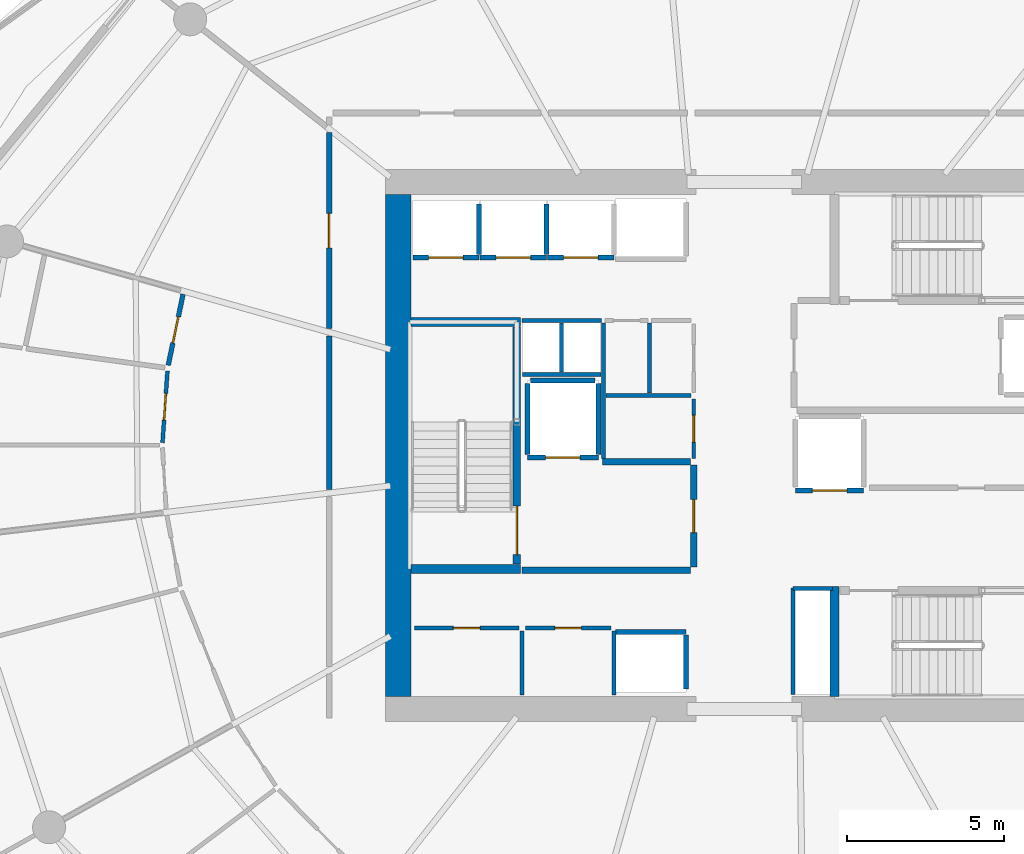
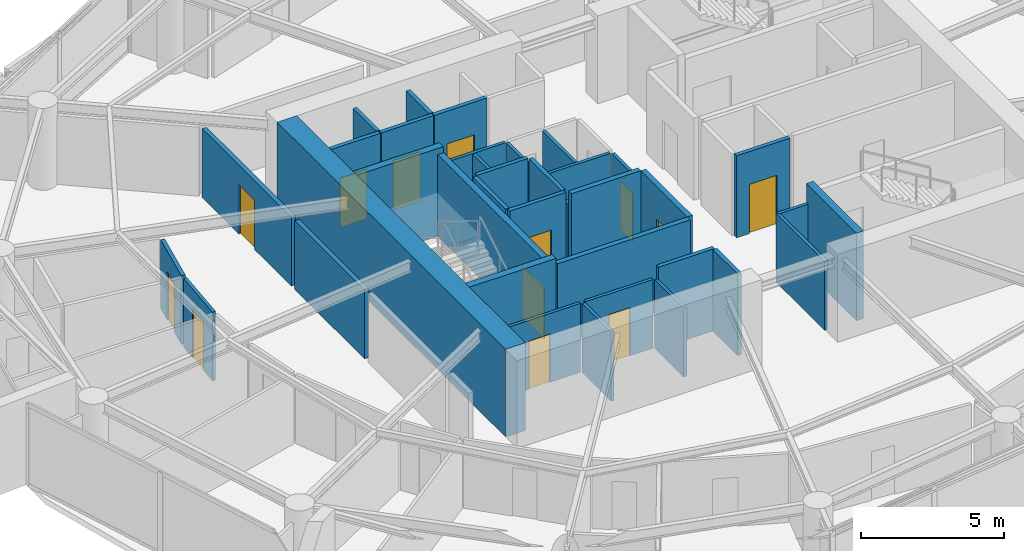
# One storey, part 12 of 20: 37 walls, 13 doors, 13 openings.
"""IFC4 building model written with IfcOpenShell, lengths in metres."""

from ifc_helpers import new_model, si_unit, direction, frame, frame_2d, origin, place, context, subcontext, project, spatial, rectangle, extrude, material, layer, layer_set, type_object, element, fill, save


model = new_model("IFC4")

# Units and contexts
model_context = context("Model", 3, precision=1e-05, world=origin(), true_north=direction((0.0, 1.0)))
body_context = subcontext(model_context, "Body", "Model", "MODEL_VIEW")
ifc_project = project(units=[si_unit("LENGTHUNIT", "METRE"), si_unit("AREAUNIT", "SQUARE_METRE"), si_unit("VOLUMEUNIT", "CUBIC_METRE"), si_unit("PLANEANGLEUNIT", "RADIAN"), si_unit("MASSUNIT", "GRAM", prefix="KILO")], contexts=[model_context])

# Site, building, storey
site_placement = place(None, origin())
site = spatial("IfcSite", under=ifc_project, at=site_placement, CompositionType="ELEMENT")
building_placement = place(site_placement, origin())
building = spatial("IfcBuilding", under=site, at=building_placement, Name="Kazma Halo Residences", CompositionType="ELEMENT")
storey_placement = place(building_placement, frame((0.0, 0.0, 135.300048828125)))
storey = spatial("IfcBuildingStorey", under=building, at=storey_placement, Name="L33", CompositionType="ELEMENT", Elevation=135.300048828125)

# Walls
ifc_material_1 = material(Name="Concrete C80/95", Category="concrete")
ifc_layer_1 = layer(ifc_material_1, 0.800048828125)
ifc_layer_set_1 = layer_set([ifc_layer_1], Name="Concrete C80/95")
wall_type_1 = type_object("IfcWallType", Name="WL-CORE-800", PredefinedType="SHEAR", material=ifc_layer_set_1)
wall_1_placement = place(storey_placement, frame((37.39990234375, 34.0, 0.0), z_axis=(0.0, 0.0, 1.0), x_axis=(0.0, 1.0, 0.0)))
element("IfcWall", 1, at=wall_1_placement, inside=storey, type_object=wall_type_1, Name="L33 central core shear wall W", PredefinedType="SHEAR", context=body_context, shape_type="SweptSolid", body=[
    extrude(rectangle(XDim=16.0, YDim=0.800048828125, at=frame_2d((8.0, 0.0))), origin(), (0.0, 0.0, 1.0), 3.75),
])
ifc_material_2 = material(Name="Concrete C60/75", Category="concrete")
ifc_layer_2 = layer(ifc_material_2, 0.280029296875)
ifc_layer_set_2 = layer_set([ifc_layer_2], Name="Concrete C60/75")
wall_type_2 = type_object("IfcWallType", Name="WL-CORE-ST-280", PredefinedType="SHEAR", material=ifc_layer_set_2)
for number, where, z_axis, x_axis, name in (
    (2, (37.800048828125, 38.06005859375, 0.0), (0.0, 0.0, 1.0), (1.0, 0.0, 0.0), "L33 stairwell bearing wall ST01-S"),
    (3, (37.800048828125, 45.93994140625, 0.0), (0.0, 0.0, 1.0), (1.0, 0.0, 0.0), "L33 stairwell bearing wall ST01-N"),
    (4, (51.31005859375, 34.0, 0.0), (0.0, 0.0, 1.0), (0.0, 1.0, 0.0), "L33 stairwell bearing wall ST03-W"),
):
    element("IfcWall", number, at=place(storey_placement, frame(where, z_axis=z_axis, x_axis=x_axis)), inside=storey, type_object=wall_type_2, Name=name, PredefinedType="SHEAR", context=body_context, shape_type="SweptSolid", body=[
        extrude(rectangle(XDim=3.5, YDim=0.280029296875, at=frame_2d((1.75, 0.0))), origin(), (0.0, 0.0, 1.0), 3.75),
    ])

# Wall, opening, door
ifc_material_3 = material(Name="Acoustic Twin-Stud Gypsum")
ifc_layer_3 = layer(ifc_material_3, 0.179931640625)
ifc_layer_set_3 = layer_set([ifc_layer_3], Name="Acoustic Twin-Stud Gypsum")
wall_type_3 = type_object("IfcWallType", Name="WL-DEM-180", PredefinedType="PARTITIONING", material=ifc_layer_set_3)
wall_2_placement = place(storey_placement, frame((35.199951171875, 51.970703125, 0.0), z_axis=(0.0, 0.0, 1.0), x_axis=(0.0, -1.0, 0.0)))
wall_2 = element("IfcWall", 5, at=wall_2_placement, inside=storey, type_object=wall_type_3, Name="L33 Apartment 1 entrance corridor wall", PredefinedType="PARTITIONING", context=body_context, shape_type="SweptSolid", body=[
    extrude(rectangle(XDim=6.24072265625, YDim=0.179931640625, at=frame_2d((3.120361328125, 0.0))), origin(), (0.0, 0.0, 1.0), 2.93994140625),
])
opening_1_placement = place(wall_2_placement, frame((2.5703125, 0.0, 0.0)))
opening_1 = element("IfcOpeningElement", 6, at=opening_1_placement, cuts=wall_2, Name="Opening DA-1100", PredefinedType="OPENING", context=body_context, shape_type="SweptSolid", body=[
    extrude(rectangle(XDim=1.10009765625, YDim=2.10009765625, at=frame_2d((0.550048828125, 1.050048828125))), frame((0.0, 0.099853515625, 0.0), z_axis=(0.0, -1.0, 0.0), x_axis=(1.0, 0.0, 0.0)), (0.0, 0.0, 1.0), 0.199951171875),
])
ifc_material_4 = material(Name="Acoustic Walnut Fire Leaf")
door_type_1 = type_object("IfcDoorType", Name="DR-FD60-1100", OperationType="NOTDEFINED", PredefinedType="DOOR", material=ifc_material_4)
door_1_placement = place(opening_1_placement, origin())
door_1 = element("IfcDoor", 7, at=door_1_placement, inside=storey, type_object=door_type_1, Name="L33 Apartment 1 entrance fire door", OperationType="SINGLE_SWING_LEFT", OverallHeight=2.10009765625, OverallWidth=1.10009765625, PredefinedType="DOOR", context=body_context, shape_type="SweptSolid", body=[
    extrude(rectangle(XDim=1.10009765625, YDim=2.10009765625, at=frame_2d((0.550048828125, 1.050048828125))), frame((0.0, 0.02490234375, 0.0), z_axis=(0.0, -1.0, 0.0), x_axis=(1.0, 0.0, 0.0)), (0.0, 0.0, 1.0), 0.050048828125),
])
fill(opening_1, door_1)

# Wall
wall_3_placement = place(storey_placement, frame((35.199951171875, 45.489990234375, 0.0), z_axis=(0.0, 0.0, 1.0), x_axis=(0.0, -1.0, 0.0)))
element("IfcWall", 8, at=wall_3_placement, inside=storey, type_object=wall_type_3, Name="L33 Apartment 1 inner wall 6", PredefinedType="PARTITIONING", context=body_context, shape_type="SweptSolid", body=[
    extrude(rectangle(XDim=4.885009765625, YDim=0.179931640625, at=frame_2d((2.4423828125, 0.0))), origin(), (0.0, 0.0, 1.0), 2.93994140625),
])

# Wall, opening, door
ifc_material_5 = material(Name="Fire-Rated Blockwork Masonry", Category="masonry")
ifc_layer_4 = layer(ifc_material_5, 0.199951171875)
ifc_layer_set_4 = layer_set([ifc_layer_4], Name="Fire-Rated Blockwork Masonry")
wall_type_4 = type_object("IfcWallType", Name="WL-FLB-200", PredefinedType="PARTITIONING", material=ifc_layer_set_4)
wall_4_placement = place(storey_placement, frame((39.97509765625, 47.9951171875, 0.0), z_axis=(0.0, 0.0, 1.0), x_axis=(-1.0, 0.0, 0.0)))
wall_4 = element("IfcWall", 9, at=wall_4_placement, inside=storey, type_object=wall_type_4, Name="L33 lift shaft PM-01 front wall", PredefinedType="PARTITIONING", context=body_context, shape_type="SweptSolid", body=[
    extrude(rectangle(XDim=2.110107421875, YDim=0.159912109375, at=frame_2d((1.05517578125, 0.0))), origin(), (0.0, 0.0, 1.0), 3.5),
])
opening_2_placement = place(wall_4_placement, frame((0.5048828125, 0.0, 0.0)))
opening_2 = element("IfcOpeningElement", 10, at=opening_2_placement, cuts=wall_4, Name="Opening LD-PM-01", PredefinedType="OPENING", context=body_context, shape_type="SweptSolid", body=[
    extrude(rectangle(XDim=1.10009765625, YDim=2.10009765625, at=frame_2d((0.550048828125, 1.050048828125))), frame((0.0, 0.08984375, 0.0), z_axis=(0.0, -1.0, 0.0), x_axis=(1.0, 0.0, 0.0)), (0.0, 0.0, 1.0), 0.179931640625),
])
ifc_material_6 = material(Name="Stainless Steel Fire-Rated", Category="steel")
door_type_2 = type_object("IfcDoorType", Name="DR-LIFT-SLD-1100", OperationType="DOUBLE_DOOR_SLIDING", PredefinedType="DOOR", material=ifc_material_6)
door_2_placement = place(opening_2_placement, origin())
door_2 = element("IfcDoor", 11, at=door_2_placement, inside=storey, type_object=door_type_2, Name="L33 lift PM-01 sliding landing door", OperationType="DOUBLE_DOOR_SLIDING", OverallHeight=2.10009765625, OverallWidth=1.10009765625, PredefinedType="DOOR", context=body_context, shape_type="SweptSolid", body=[
    extrude(rectangle(XDim=1.10009765625, YDim=2.10009765625, at=frame_2d((0.550048828125, 1.050048828125))), frame((0.0, 0.02490234375, 0.0), z_axis=(0.0, -1.0, 0.0), x_axis=(1.0, 0.0, 0.0)), (0.0, 0.0, 1.0), 0.050048828125),
])
fill(opening_2, door_2)

# Wall
wall_5_placement = place(storey_placement, frame((39.97509765625, 48.094970703125, 0.0), z_axis=(0.0, 0.0, 1.0), x_axis=(0.0, 1.0, 0.0)))
element("IfcWall", 12, at=wall_5_placement, inside=storey, type_object=wall_type_4, Name="L33 lift shaft PM-01 side wall E", PredefinedType="PARTITIONING", context=body_context, shape_type="SweptSolid", body=[
    extrude(rectangle(XDim=1.610107421875, YDim=0.159912109375, at=frame_2d((0.80517578125, 0.0))), origin(), (0.0, 0.0, 1.0), 3.5),
])

# Wall, opening, door
wall_6_placement = place(storey_placement, frame((42.125, 47.9951171875, 0.0), z_axis=(0.0, 0.0, 1.0), x_axis=(-1.0, 0.0, 0.0)))
wall_6 = element("IfcWall", 13, at=wall_6_placement, inside=storey, type_object=wall_type_4, Name="L33 lift shaft PM-02 front wall", PredefinedType="PARTITIONING", context=body_context, shape_type="SweptSolid", body=[
    extrude(rectangle(XDim=2.110107421875, YDim=0.159912109375, at=frame_2d((1.05517578125, 0.0))), origin(), (0.0, 0.0, 1.0), 3.5),
])
opening_3_placement = place(wall_6_placement, frame((0.5048828125, 0.0, 0.0)))
opening_3 = element("IfcOpeningElement", 14, at=opening_3_placement, cuts=wall_6, Name="Opening LD-PM-02", PredefinedType="OPENING", context=body_context, shape_type="SweptSolid", body=[
    extrude(rectangle(XDim=1.10009765625, YDim=2.10009765625, at=frame_2d((0.550048828125, 1.050048828125))), frame((0.0, 0.08984375, 0.0), z_axis=(0.0, -1.0, 0.0), x_axis=(1.0, 0.0, 0.0)), (0.0, 0.0, 1.0), 0.179931640625),
])
door_3_placement = place(opening_3_placement, origin())
door_3 = element("IfcDoor", 15, at=door_3_placement, inside=storey, type_object=door_type_2, Name="L33 lift PM-02 sliding landing door", OperationType="DOUBLE_DOOR_SLIDING", OverallHeight=2.10009765625, OverallWidth=1.10009765625, PredefinedType="DOOR", context=body_context, shape_type="SweptSolid", body=[
    extrude(rectangle(XDim=1.10009765625, YDim=2.10009765625, at=frame_2d((0.550048828125, 1.050048828125))), frame((0.0, 0.02490234375, 0.0), z_axis=(0.0, -1.0, 0.0), x_axis=(1.0, 0.0, 0.0)), (0.0, 0.0, 1.0), 0.050048828125),
])
fill(opening_3, door_3)

# Wall
wall_7_placement = place(storey_placement, frame((42.125, 48.094970703125, 0.0), z_axis=(0.0, 0.0, 1.0), x_axis=(0.0, 1.0, 0.0)))
element("IfcWall", 16, at=wall_7_placement, inside=storey, type_object=wall_type_4, Name="L33 lift shaft PM-02 side wall E", PredefinedType="PARTITIONING", context=body_context, shape_type="SweptSolid", body=[
    extrude(rectangle(XDim=1.610107421875, YDim=0.159912109375, at=frame_2d((0.80517578125, 0.0))), origin(), (0.0, 0.0, 1.0), 3.5),
])

# Wall, opening, door
wall_8_placement = place(storey_placement, frame((44.27490234375, 47.9951171875, 0.0), z_axis=(0.0, 0.0, 1.0), x_axis=(-1.0, 0.0, 0.0)))
wall_8 = element("IfcWall", 17, at=wall_8_placement, inside=storey, type_object=wall_type_4, Name="L33 lift shaft PM-03 front wall", PredefinedType="PARTITIONING", context=body_context, shape_type="SweptSolid", body=[
    extrude(rectangle(XDim=2.10986328125, YDim=0.159912109375, at=frame_2d((1.054931640625, 0.0))), origin(), (0.0, 0.0, 1.0), 3.5),
])
opening_4_placement = place(wall_8_placement, frame((0.5048828125, 0.0, 0.0)))
opening_4 = element("IfcOpeningElement", 18, at=opening_4_placement, cuts=wall_8, Name="Opening LD-PM-03", PredefinedType="OPENING", context=body_context, shape_type="SweptSolid", body=[
    extrude(rectangle(XDim=1.10009765625, YDim=2.10009765625, at=frame_2d((0.550048828125, 1.050048828125))), frame((0.0, 0.08984375, 0.0), z_axis=(0.0, -1.0, 0.0), x_axis=(1.0, 0.0, 0.0)), (0.0, 0.0, 1.0), 0.179931640625),
])
door_4_placement = place(opening_4_placement, origin())
door_4 = element("IfcDoor", 19, at=door_4_placement, inside=storey, type_object=door_type_2, Name="L33 lift PM-03 sliding landing door", OperationType="DOUBLE_DOOR_SLIDING", OverallHeight=2.10009765625, OverallWidth=1.10009765625, PredefinedType="DOOR", context=body_context, shape_type="SweptSolid", body=[
    extrude(rectangle(XDim=1.10009765625, YDim=2.10009765625, at=frame_2d((0.550048828125, 1.050048828125))), frame((0.0, 0.02490234375, 0.0), z_axis=(0.0, -1.0, 0.0), x_axis=(1.0, 0.0, 0.0)), (0.0, 0.0, 1.0), 0.050048828125),
])
fill(opening_4, door_4)

# Walls
wall_9_placement = place(storey_placement, frame((44.320068359375, 36.054931640625, 0.0), z_axis=(0.0, 0.0, 1.0), x_axis=(1.0, 0.0, 0.0)))
element("IfcWall", 20, at=wall_9_placement, inside=storey, type_object=wall_type_4, Name="L33 lift shaft PX-02 front wall", PredefinedType="PARTITIONING", context=body_context, shape_type="SweptSolid", body=[
    extrude(rectangle(XDim=2.260009765625, YDim=0.159912109375, at=frame_2d((1.1298828125, 0.0))), origin(), (0.0, 0.0, 1.0), 3.5),
])
wall_10_placement = place(storey_placement, frame((46.580078125, 34.2451171875, 0.0), z_axis=(0.0, 0.0, 1.0), x_axis=(0.0, 1.0, 0.0)))
element("IfcWall", 21, at=wall_10_placement, inside=storey, type_object=wall_type_4, Name="L33 lift shaft PX-02 side wall E", PredefinedType="PARTITIONING", context=body_context, shape_type="SweptSolid", body=[
    extrude(rectangle(XDim=1.7099609375, YDim=0.159912109375, at=frame_2d((0.85498046875, 0.0))), origin(), (0.0, 0.0, 1.0), 3.5),
])

# Wall, opening, door
wall_11_placement = place(storey_placement, frame((43.780029296875, 41.6201171875, 0.0), z_axis=(0.0, 0.0, 1.0), x_axis=(-1.0, 0.0, 0.0)))
wall_11 = element("IfcWall", 22, at=wall_11_placement, inside=storey, type_object=wall_type_4, Name="L33 lift shaft FL-01 front wall", PredefinedType="PARTITIONING", context=body_context, shape_type="SweptSolid", body=[
    extrude(rectangle(XDim=2.260009765625, YDim=0.159912109375, at=frame_2d((1.1298828125, 0.0))), origin(), (0.0, 0.0, 1.0), 3.5),
])
opening_5_placement = place(wall_11_placement, frame((0.580078125, 0.0, 0.0)))
opening_5 = element("IfcOpeningElement", 23, at=opening_5_placement, cuts=wall_11, Name="Opening LD-FL-01", PredefinedType="OPENING", context=body_context, shape_type="SweptSolid", body=[
    extrude(rectangle(XDim=1.10009765625, YDim=2.10009765625, at=frame_2d((0.550048828125, 1.050048828125))), frame((0.0, 0.08984375, 0.0), z_axis=(0.0, -1.0, 0.0), x_axis=(1.0, 0.0, 0.0)), (0.0, 0.0, 1.0), 0.179931640625),
])
door_5_placement = place(opening_5_placement, origin())
door_5 = element("IfcDoor", 24, at=door_5_placement, inside=storey, type_object=door_type_2, Name="L33 lift FL-01 sliding landing door", OperationType="DOUBLE_DOOR_SLIDING", OverallHeight=2.10009765625, OverallWidth=1.10009765625, PredefinedType="DOOR", context=body_context, shape_type="SweptSolid", body=[
    extrude(rectangle(XDim=1.10009765625, YDim=2.10009765625, at=frame_2d((0.550048828125, 1.050048828125))), frame((0.0, 0.02490234375, 0.0), z_axis=(0.0, -1.0, 0.0), x_axis=(1.0, 0.0, 0.0)), (0.0, 0.0, 1.0), 0.050048828125),
])
fill(opening_5, door_5)

# Walls
for number, where, z_axis, x_axis, name in (
    (25, (43.780029296875, 41.719970703125, 0.0), (0.0, 0.0, 1.0), (0.0, 1.0, 0.0), "L33 lift shaft FL-01 side wall E"),
    (26, (41.52001953125, 41.719970703125, 0.0), (0.0, 0.0, 1.0), (0.0, 1.0, 0.0), "L33 lift shaft FL-01 side wall W"),
):
    element("IfcWall", number, at=place(storey_placement, frame(where, z_axis=z_axis, x_axis=x_axis)), inside=storey, type_object=wall_type_4, Name=name, PredefinedType="PARTITIONING", context=body_context, shape_type="SweptSolid", body=[
        extrude(rectangle(XDim=2.260009765625, YDim=0.159912109375, at=frame_2d((1.1298828125, 0.0))), origin(), (0.0, 0.0, 1.0), 3.5),
    ])
wall_12_placement = place(storey_placement, frame((41.6201171875, 44.080078125, 0.0), z_axis=(0.0, 0.0, 1.0), x_axis=(1.0, 0.0, 0.0)))
element("IfcWall", 27, at=wall_12_placement, inside=storey, type_object=wall_type_4, Name="L33 lift shaft FL-01 side wall N", PredefinedType="PARTITIONING", context=body_context, shape_type="SweptSolid", body=[
    extrude(rectangle(XDim=2.059814453125, YDim=0.159912109375, at=frame_2d((1.02978515625, 0.0))), origin(), (0.0, 0.0, 1.0), 3.5),
])

# Wall, opening, door
wall_13_placement = place(storey_placement, frame((52.22998046875, 40.570068359375, 0.0), z_axis=(0.0, 0.0, 1.0), x_axis=(-1.0, 0.0, 0.0)))
wall_13 = element("IfcWall", 28, at=wall_13_placement, inside=storey, type_object=wall_type_4, Name="L33 lift shaft SV-01 front wall", PredefinedType="PARTITIONING", context=body_context, shape_type="SweptSolid", body=[
    extrude(rectangle(XDim=2.159912109375, YDim=0.159912109375, at=frame_2d((1.080078125, 0.0))), origin(), (0.0, 0.0, 1.0), 3.5),
])
opening_6_placement = place(wall_13_placement, frame((0.530029296875, 0.0, 0.0)))
opening_6 = element("IfcOpeningElement", 29, at=opening_6_placement, cuts=wall_13, Name="Opening LD-SV-01", PredefinedType="OPENING", context=body_context, shape_type="SweptSolid", body=[
    extrude(rectangle(XDim=1.10009765625, YDim=2.10009765625, at=frame_2d((0.550048828125, 1.050048828125))), frame((0.0, 0.08984375, 0.0), z_axis=(0.0, -1.0, 0.0), x_axis=(1.0, 0.0, 0.0)), (0.0, 0.0, 1.0), 0.179931640625),
])
door_6_placement = place(opening_6_placement, origin())
door_6 = element("IfcDoor", 30, at=door_6_placement, inside=storey, type_object=door_type_2, Name="L33 lift SV-01 sliding landing door", OperationType="DOUBLE_DOOR_SLIDING", OverallHeight=2.10009765625, OverallWidth=1.10009765625, PredefinedType="DOOR", context=body_context, shape_type="SweptSolid", body=[
    extrude(rectangle(XDim=1.10009765625, YDim=2.10009765625, at=frame_2d((0.550048828125, 1.050048828125))), frame((0.0, 0.02490234375, 0.0), z_axis=(0.0, -1.0, 0.0), x_axis=(1.0, 0.0, 0.0)), (0.0, 0.0, 1.0), 0.050048828125),
])
fill(opening_6, door_6)

# Walls
wall_14_placement = place(storey_placement, frame((41.35009765625, 38.02001953125, 0.0), z_axis=(0.0, 0.0, 1.0), x_axis=(1.0, 0.0, 0.0)))
element("IfcWall", 31, at=wall_14_placement, inside=storey, type_object=wall_type_4, Name="L33 west firefighting lobby south smoke wall", PredefinedType="PARTITIONING", context=body_context, shape_type="SweptSolid", body=[
    extrude(rectangle(XDim=5.369873046875, YDim=0.199951171875, at=frame_2d((2.68505859375, 0.0))), origin(), (0.0, 0.0, 1.0), 3.5),
])
wall_15_placement = place(storey_placement, frame((43.919921875, 41.47998046875, 0.0), z_axis=(0.0, 0.0, 1.0), x_axis=(1.0, 0.0, 0.0)))
element("IfcWall", 32, at=wall_15_placement, inside=storey, type_object=wall_type_4, Name="L33 west firefighting lobby north smoke wall", PredefinedType="PARTITIONING", context=body_context, shape_type="SweptSolid", body=[
    extrude(rectangle(XDim=2.800048828125, YDim=0.199951171875, at=frame_2d((1.39990234375, 0.0))), origin(), (0.0, 0.0, 1.0), 3.5),
])

# Wall, opening, door
wall_16_placement = place(storey_placement, frame((46.820068359375, 38.1201171875, 0.0), z_axis=(0.0, 0.0, 1.0), x_axis=(0.0, 1.0, 0.0)))
wall_16 = element("IfcWall", 33, at=wall_16_placement, inside=storey, type_object=wall_type_4, Name="L33 west firefighting lobby smoke wall", PredefinedType="PARTITIONING", context=body_context, shape_type="SweptSolid", body=[
    extrude(rectangle(XDim=3.259765625, YDim=0.199951171875, at=frame_2d((1.6298828125, 0.0))), origin(), (0.0, 0.0, 1.0), 3.5),
])
opening_7_placement = place(wall_16_placement, frame((1.10498046875, 0.0, 0.0)))
opening_7 = element("IfcOpeningElement", 34, at=opening_7_placement, cuts=wall_16, Name="Opening D-FLW", PredefinedType="OPENING", context=body_context, shape_type="SweptSolid", body=[
    extrude(rectangle(XDim=1.050048828125, YDim=2.10009765625, at=frame_2d((0.52490234375, 1.050048828125))), frame((0.0, 0.10986328125, 0.0), z_axis=(0.0, -1.0, 0.0), x_axis=(1.0, 0.0, 0.0)), (0.0, 0.0, 1.0), 0.219970703125),
])
ifc_material_7 = material(Name="Fire-Rated Steel Leaf", Category="steel")
door_type_3 = type_object("IfcDoorType", Name="DR-FD90-1050", OperationType="NOTDEFINED", PredefinedType="DOOR", material=ifc_material_7)
door_7_placement = place(opening_7_placement, origin())
door_7 = element("IfcDoor", 35, at=door_7_placement, inside=storey, type_object=door_type_3, Name="L33 west firefighting lobby smoke door", OperationType="SINGLE_SWING_RIGHT", OverallHeight=2.10009765625, OverallWidth=1.050048828125, PredefinedType="DOOR", context=body_context, shape_type="SweptSolid", body=[
    extrude(rectangle(XDim=1.050048828125, YDim=2.10009765625, at=frame_2d((0.52490234375, 1.050048828125))), frame((0.0, 0.02490234375, 0.0), z_axis=(0.0, -1.0, 0.0), x_axis=(1.0, 0.0, 0.0)), (0.0, 0.0, 1.0), 0.050048828125),
])
fill(opening_7, door_7)

# Walls
ifc_material_8 = material(Name="Gypsum Plasterboard Partition")
ifc_layer_5 = layer(ifc_material_8, 0.125)
ifc_layer_set_5 = layer_set([ifc_layer_5], Name="Gypsum Plasterboard Partition")
wall_type_5 = type_object("IfcWallType", Name="WL-PART-125", PredefinedType="PARTITIONING", material=ifc_layer_set_5)
for number, where, z_axis, x_axis, name in (
    (36, (44.280029296875, 34.050048828125, 0.0), (0.0, 0.0, 1.0), (0.0, 1.0, 0.0), "L33 reclaimed south east wall"),
    (37, (41.35009765625, 34.050048828125, 0.0), (0.0, 0.0, 1.0), (0.0, 1.0, 0.0), "L33 reclaimed south divider wall"),
):
    element("IfcWall", number, at=place(storey_placement, frame(where, z_axis=z_axis, x_axis=x_axis)), inside=storey, type_object=wall_type_5, Name=name, PredefinedType="PARTITIONING", context=body_context, shape_type="SweptSolid", body=[
        extrude(rectangle(XDim=2.030029296875, YDim=0.125, at=frame_2d((1.01513671875, 0.0))), origin(), (0.0, 0.0, 1.0), 2.93994140625),
    ])

# Wall, opening, door
wall_17_placement = place(storey_placement, frame((37.919921875, 36.179931640625, 0.0), z_axis=(0.0, 0.0, 1.0), x_axis=(1.0, 0.0, 0.0)))
wall_17 = element("IfcWall", 38, at=wall_17_placement, inside=storey, type_object=wall_type_5, Name="L33 reclaimed south W front wall", PredefinedType="PARTITIONING", context=body_context, shape_type="SweptSolid", body=[
    extrude(rectangle(XDim=3.330078125, YDim=0.125, at=frame_2d((1.6650390625, 0.0))), origin(), (0.0, 0.0, 1.0), 2.93994140625),
])
opening_8_placement = place(wall_17_placement, frame((1.239990234375, 0.0, 0.0)))
opening_8 = element("IfcOpeningElement", 39, at=opening_8_placement, cuts=wall_17, Name="Opening DS-850", PredefinedType="OPENING", context=body_context, shape_type="SweptSolid", body=[
    extrude(rectangle(XDim=0.85009765625, YDim=2.06005859375, at=frame_2d((0.425048828125, 1.030029296875))), frame((0.0, 0.072509765625, 0.0), z_axis=(0.0, -1.0, 0.0), x_axis=(1.0, 0.0, 0.0)), (0.0, 0.0, 1.0), 0.14501953125),
])
ifc_material_9 = material(Name="Painted Steel Access Leaf", Category="steel")
door_type_4 = type_object("IfcDoorType", Name="DR-SVC-850", OperationType="NOTDEFINED", PredefinedType="DOOR", material=ifc_material_9)
door_8_placement = place(opening_8_placement, origin())
door_8 = element("IfcDoor", 40, at=door_8_placement, inside=storey, type_object=door_type_4, Name="L33 reclaimed south W door", OperationType="SINGLE_SWING_RIGHT", OverallHeight=2.06005859375, OverallWidth=0.85009765625, PredefinedType="DOOR", context=body_context, shape_type="SweptSolid", body=[
    extrude(rectangle(XDim=0.85009765625, YDim=2.06005859375, at=frame_2d((0.425048828125, 1.030029296875))), frame((0.0, 0.02490234375, 0.0), z_axis=(0.0, -1.0, 0.0), x_axis=(1.0, 0.0, 0.0)), (0.0, 0.0, 1.0), 0.050048828125),
])
fill(opening_8, door_8)

wall_18_placement = place(storey_placement, frame((41.449951171875, 36.179931640625, 0.0), z_axis=(0.0, 0.0, 1.0), x_axis=(1.0, 0.0, 0.0)))
wall_18 = element("IfcWall", 41, at=wall_18_placement, inside=storey, type_object=wall_type_5, Name="L33 reclaimed south E front wall", PredefinedType="PARTITIONING", context=body_context, shape_type="SweptSolid", body=[
    extrude(rectangle(XDim=2.72998046875, YDim=0.125, at=frame_2d((1.364990234375, 0.0))), origin(), (0.0, 0.0, 1.0), 2.93994140625),
])
opening_9_placement = place(wall_18_placement, frame((0.93994140625, 0.0, 0.0)))
opening_9 = element("IfcOpeningElement", 42, at=opening_9_placement, cuts=wall_18, Name="Opening DS-850", PredefinedType="OPENING", context=body_context, shape_type="SweptSolid", body=[
    extrude(rectangle(XDim=0.85009765625, YDim=2.06005859375, at=frame_2d((0.425048828125, 1.030029296875))), frame((0.0, 0.072509765625, 0.0), z_axis=(0.0, -1.0, 0.0), x_axis=(1.0, 0.0, 0.0)), (0.0, 0.0, 1.0), 0.14501953125),
])
door_9_placement = place(opening_9_placement, origin())
door_9 = element("IfcDoor", 43, at=door_9_placement, inside=storey, type_object=door_type_4, Name="L33 reclaimed south E door", OperationType="SINGLE_SWING_LEFT", OverallHeight=2.06005859375, OverallWidth=0.85009765625, PredefinedType="DOOR", context=body_context, shape_type="SweptSolid", body=[
    extrude(rectangle(XDim=0.85009765625, YDim=2.06005859375, at=frame_2d((0.425048828125, 1.030029296875))), frame((0.0, 0.02490234375, 0.0), z_axis=(0.0, -1.0, 0.0), x_axis=(1.0, 0.0, 0.0)), (0.0, 0.0, 1.0), 0.050048828125),
])
fill(opening_9, door_9)

# Walls
wall_19_placement = place(storey_placement, frame((41.360107421875, 44.260009765625, 0.0), z_axis=(0.0, 0.0, 1.0), x_axis=(1.0, 0.0, 0.0)))
element("IfcWall", 44, at=wall_19_placement, inside=storey, type_object=wall_type_5, Name="L33 core riser south wall", PredefinedType="PARTITIONING", context=body_context, shape_type="SweptSolid", body=[
    extrude(rectangle(XDim=2.5, YDim=0.125, at=frame_2d((1.25, 0.0))), origin(), (0.0, 0.0, 1.0), 2.93994140625),
])
wall_20_placement = place(storey_placement, frame((42.60009765625, 44.35009765625, 0.0), z_axis=(0.0, 0.0, 1.0), x_axis=(0.0, 1.0, 0.0)))
element("IfcWall", 45, at=wall_20_placement, inside=storey, type_object=wall_type_5, Name="L33 core riser divider wall", PredefinedType="PARTITIONING", context=body_context, shape_type="SweptSolid", body=[
    extrude(rectangle(XDim=1.5498046875, YDim=0.125, at=frame_2d((0.77490234375, 0.0))), origin(), (0.0, 0.0, 1.0), 2.93994140625),
])
wall_21_placement = place(storey_placement, frame((49.97998046875, 34.06005859375, 0.0), z_axis=(0.0, 0.0, 1.0), x_axis=(0.0, 1.0, 0.0)))
element("IfcWall", 46, at=wall_21_placement, inside=storey, type_object=wall_type_5, Name="L33 standpipe riser wall", PredefinedType="PARTITIONING", context=body_context, shape_type="SweptSolid", body=[
    extrude(rectangle(XDim=3.39990234375, YDim=0.125, at=frame_2d((1.699951171875, 0.0))), origin(), (0.0, 0.0, 1.0), 2.93994140625),
])
wall_22_placement = place(storey_placement, frame((49.97998046875, 37.43994140625, 0.0), z_axis=(0.0, 0.0, 1.0), x_axis=(1.0, 0.0, 0.0)))
element("IfcWall", 47, at=wall_22_placement, inside=storey, type_object=wall_type_5, Name="L33 standpipe riser north wall", PredefinedType="PARTITIONING", context=body_context, shape_type="SweptSolid", body=[
    extrude(rectangle(XDim=1.260009765625, YDim=0.125, at=frame_2d((0.6298828125, 0.0))), origin(), (0.0, 0.0, 1.0), 2.93994140625),
])
wall_23_placement = place(storey_placement, frame((43.949951171875, 41.580078125, 0.0), z_axis=(0.0, 0.0, 1.0), x_axis=(0.0, 1.0, 0.0)))
element("IfcWall", 48, at=wall_23_placement, inside=storey, type_object=wall_type_5, Name="L33 core service west wall", PredefinedType="PARTITIONING", context=body_context, shape_type="SweptSolid", body=[
    extrude(rectangle(XDim=4.31982421875, YDim=0.125, at=frame_2d((2.159912109375, 0.0))), origin(), (0.0, 0.0, 1.0), 2.93994140625),
])
wall_24_placement = place(storey_placement, frame((44.030029296875, 43.590087890625, 0.0), z_axis=(0.0, 0.0, 1.0), x_axis=(1.0, 0.0, 0.0)))
element("IfcWall", 49, at=wall_24_placement, inside=storey, type_object=wall_type_5, Name="L33 core service horiz divider", PredefinedType="PARTITIONING", context=body_context, shape_type="SweptSolid", body=[
    extrude(rectangle(XDim=2.7099609375, YDim=0.125, at=frame_2d((1.35498046875, 0.0))), origin(), (0.0, 0.0, 1.0), 2.93994140625),
])
wall_25_placement = place(storey_placement, frame((45.409912109375, 43.669921875, 0.0), z_axis=(0.0, 0.0, 1.0), x_axis=(0.0, 1.0, 0.0)))
element("IfcWall", 50, at=wall_25_placement, inside=storey, type_object=wall_type_5, Name="L33 core service vert divider", PredefinedType="PARTITIONING", context=body_context, shape_type="SweptSolid", body=[
    extrude(rectangle(XDim=2.22998046875, YDim=0.125, at=frame_2d((1.114990234375, 0.0))), origin(), (0.0, 0.0, 1.0), 2.93994140625),
])

# Wall, opening, door
wall_26_placement = place(storey_placement, frame((46.820068359375, 41.580078125, 0.0), z_axis=(0.0, 0.0, 1.0), x_axis=(0.0, 1.0, 0.0)))
wall_26 = element("IfcWall", 51, at=wall_26_placement, inside=storey, type_object=wall_type_5, Name="L33 refuse room east wall", PredefinedType="PARTITIONING", context=body_context, shape_type="SweptSolid", body=[
    extrude(rectangle(XDim=1.909912109375, YDim=0.125, at=frame_2d((0.955078125, 0.0))), origin(), (0.0, 0.0, 1.0), 2.93994140625),
])
opening_10_placement = place(wall_26_placement, frame((0.530029296875, 0.0, 0.0)))
opening_10 = element("IfcOpeningElement", 52, at=opening_10_placement, cuts=wall_26, Name="Opening DS-850", PredefinedType="OPENING", context=body_context, shape_type="SweptSolid", body=[
    extrude(rectangle(XDim=0.85009765625, YDim=2.06005859375, at=frame_2d((0.425048828125, 1.030029296875))), frame((0.0, 0.072509765625, 0.0), z_axis=(0.0, -1.0, 0.0), x_axis=(1.0, 0.0, 0.0)), (0.0, 0.0, 1.0), 0.14501953125),
])
door_10_placement = place(opening_10_placement, origin())
door_10 = element("IfcDoor", 53, at=door_10_placement, inside=storey, type_object=door_type_4, Name="L33 refuse room door", OperationType="SINGLE_SWING_RIGHT", OverallHeight=2.06005859375, OverallWidth=0.85009765625, PredefinedType="DOOR", context=body_context, shape_type="SweptSolid", body=[
    extrude(rectangle(XDim=0.85009765625, YDim=2.06005859375, at=frame_2d((0.425048828125, 1.030029296875))), frame((0.0, 0.02490234375, 0.0), z_axis=(0.0, -1.0, 0.0), x_axis=(1.0, 0.0, 0.0)), (0.0, 0.0, 1.0), 0.050048828125),
])
fill(opening_10, door_10)

# Wall
wall_27_placement = place(storey_placement, frame((41.35009765625, 45.97998046875, 0.0), z_axis=(0.0, 0.0, 1.0), x_axis=(1.0, 0.0, 0.0)))
element("IfcWall", 54, at=wall_27_placement, inside=storey, type_object=wall_type_5, Name="L33 core riser NW wall", PredefinedType="PARTITIONING", context=body_context, shape_type="SweptSolid", body=[
    extrude(rectangle(XDim=2.52978515625, YDim=0.125, at=frame_2d((1.264892578125, 0.0))), origin(), (0.0, 0.0, 1.0), 2.93994140625),
])

# Wall, opening, door
wall_28_placement = place(storey_placement, frame((30.043701171875, 44.378662109375, 0.0), z_axis=(0.0, 0.0, 1.0), x_axis=(-0.068510010266, -0.997650429005, 0.0)))
wall_28 = element("IfcWall", 55, at=wall_28_placement, inside=storey, type_object=wall_type_5, Name="L33 Apartment 1 Gourmet Kitchen hall wall", PredefinedType="PARTITIONING", context=body_context, shape_type="SweptSolid", body=[
    extrude(rectangle(XDim=2.294921875, YDim=0.125, at=frame_2d((1.1474609375, 0.0))), origin(), (0.0, 0.0, 1.0), 2.93994140625),
])
opening_11_placement = place(wall_28_placement, frame((0.722412109375, 0.0, 0.0)))
opening_11 = element("IfcOpeningElement", 56, at=opening_11_placement, cuts=wall_28, Name="Opening DB-900", PredefinedType="OPENING", context=body_context, shape_type="SweptSolid", body=[
    extrude(rectangle(XDim=0.85009765625, YDim=2.06005859375, at=frame_2d((0.425048828125, 1.030029296875))), frame((0.0, 0.072509765625, 0.0), z_axis=(0.0, -1.0, 0.0), x_axis=(1.0, 0.0, 0.0)), (0.0, 0.0, 1.0), 0.14501953125),
])
ifc_material_10 = material(Name="Moisture-Sealed Timber Leaf", Category="wood")
door_type_5 = type_object("IfcDoorType", Name="DR-BTH-900", OperationType="NOTDEFINED", PredefinedType="DOOR", material=ifc_material_10)
door_11_placement = place(opening_11_placement, origin())
door_11 = element("IfcDoor", 57, at=door_11_placement, inside=storey, type_object=door_type_5, Name="L33 Apartment 1 Gourmet Kitchen door", OperationType="SINGLE_SWING_RIGHT", OverallHeight=2.06005859375, OverallWidth=0.85009765625, PredefinedType="DOOR", context=body_context, shape_type="SweptSolid", body=[
    extrude(rectangle(XDim=0.85009765625, YDim=2.06005859375, at=frame_2d((0.425048828125, 1.030029296875))), frame((0.0, 0.02490234375, 0.0), z_axis=(0.0, -1.0, 0.0), x_axis=(1.0, 0.0, 0.0)), (0.0, 0.0, 1.0), 0.050048828125),
])
fill(opening_11, door_11)

ifc_material_11 = material(Name="Concrete C50/60", Category="concrete")
ifc_layer_6 = layer(ifc_material_11, 0.25)
ifc_layer_set_6 = layer_set([ifc_layer_6], Name="Concrete C50/60")
wall_type_6 = type_object("IfcWallType", Name="WL-SHF-250", PredefinedType="SOLIDWALL", material=ifc_layer_set_6)
wall_29_placement = place(storey_placement, frame((41.179931640625, 38.219970703125, 0.0), z_axis=(0.0, 0.0, 1.0), x_axis=(0.0, 1.0, 0.0)))
wall_29 = element("IfcWall", 58, at=wall_29_placement, inside=storey, type_object=wall_type_6, Name="L33 exit stair ST-01 enclosure wall", PredefinedType="SOLIDWALL", context=body_context, shape_type="SweptSolid", body=[
    extrude(rectangle(XDim=7.56005859375, YDim=0.25, at=frame_2d((3.780029296875, 0.0))), origin(), (0.0, 0.0, 1.0), 3.5),
])
opening_12_placement = place(wall_29_placement, frame((0.300048828125, 0.0, 0.0)))
opening_12 = element("IfcOpeningElement", 59, at=opening_12_placement, cuts=wall_29, Name="Opening D-ST1", PredefinedType="OPENING", context=body_context, shape_type="SweptSolid", body=[
    extrude(rectangle(XDim=1.550048828125, YDim=2.14990234375, at=frame_2d((0.77490234375, 1.074951171875))), frame((0.0, 0.135009765625, 0.0), z_axis=(0.0, -1.0, 0.0), x_axis=(1.0, 0.0, 0.0)), (0.0, 0.0, 1.0), 0.27001953125),
])
ifc_material_12 = material(Name="Fire-Rated Double Steel Leaf", Category="steel")
door_type_6 = type_object("IfcDoorType", Name="DR-FD90-1550", OperationType="NOTDEFINED", PredefinedType="DOOR", material=ifc_material_12)
door_12_placement = place(opening_12_placement, origin())
door_12 = element("IfcDoor", 60, at=door_12_placement, inside=storey, type_object=door_type_6, Name="L33 exit stair ST-01 fire door", OperationType="DOUBLE_DOOR_SINGLE_SWING", OverallHeight=2.14990234375, OverallWidth=1.550048828125, PredefinedType="DOOR", context=body_context, shape_type="SweptSolid", body=[
    extrude(rectangle(XDim=1.550048828125, YDim=2.14990234375, at=frame_2d((0.77490234375, 1.074951171875))), frame((0.0, 0.02490234375, 0.0), z_axis=(0.0, -1.0, 0.0), x_axis=(1.0, 0.0, 0.0)), (0.0, 0.0, 1.0), 0.050048828125),
])
fill(opening_12, door_12)

ifc_material_13 = material(Name="Moisture-Resistant Gypsum")
ifc_layer_7 = layer(ifc_material_13, 0.14990234375)
ifc_layer_set_7 = layer_set([ifc_layer_7], Name="Moisture-Resistant Gypsum")
wall_type_7 = type_object("IfcWallType", Name="WL-WET-150", PredefinedType="PARTITIONING", material=ifc_layer_set_7)
wall_30_placement = place(storey_placement, frame((30.541015625, 46.8203125, 0.0), z_axis=(0.0, 0.0, 1.0), x_axis=(-0.20437157278, -0.978893385533, 0.0)))
wall_30 = element("IfcWall", 61, at=wall_30_placement, inside=storey, type_object=wall_type_7, Name="L33 Apartment 1 Guest Bathroom hall wall", PredefinedType="PARTITIONING", context=body_context, shape_type="SweptSolid", body=[
    extrude(rectangle(XDim=2.312744140625, YDim=0.14990234375, at=frame_2d((1.15625, 0.0))), origin(), (0.0, 0.0, 1.0), 2.93994140625),
])
opening_13_placement = place(wall_30_placement, frame((0.731201171875, 0.0, 0.0)))
opening_13 = element("IfcOpeningElement", 62, at=opening_13_placement, cuts=wall_30, Name="Opening DB-900", PredefinedType="OPENING", context=body_context, shape_type="SweptSolid", body=[
    extrude(rectangle(XDim=0.85009765625, YDim=2.06005859375, at=frame_2d((0.425048828125, 1.030029296875))), frame((0.0, 0.0849609375, 0.0), z_axis=(0.0, -1.0, 0.0), x_axis=(1.0, 0.0, 0.0)), (0.0, 0.0, 1.0), 0.169921875),
])
door_13_placement = place(opening_13_placement, origin())
door_13 = element("IfcDoor", 63, at=door_13_placement, inside=storey, type_object=door_type_5, Name="L33 Apartment 1 Guest Bathroom door", OperationType="SINGLE_SWING_RIGHT", OverallHeight=2.06005859375, OverallWidth=0.85009765625, PredefinedType="DOOR", context=body_context, shape_type="SweptSolid", body=[
    extrude(rectangle(XDim=0.85009765625, YDim=2.06005859375, at=frame_2d((0.425048828125, 1.030029296875))), frame((0.0, 0.02490234375, 0.0), z_axis=(0.0, -1.0, 0.0), x_axis=(1.0, 0.0, 0.0)), (0.0, 0.0, 1.0), 0.050048828125),
])
fill(opening_13, door_13)

save(model, "model.ifc")
